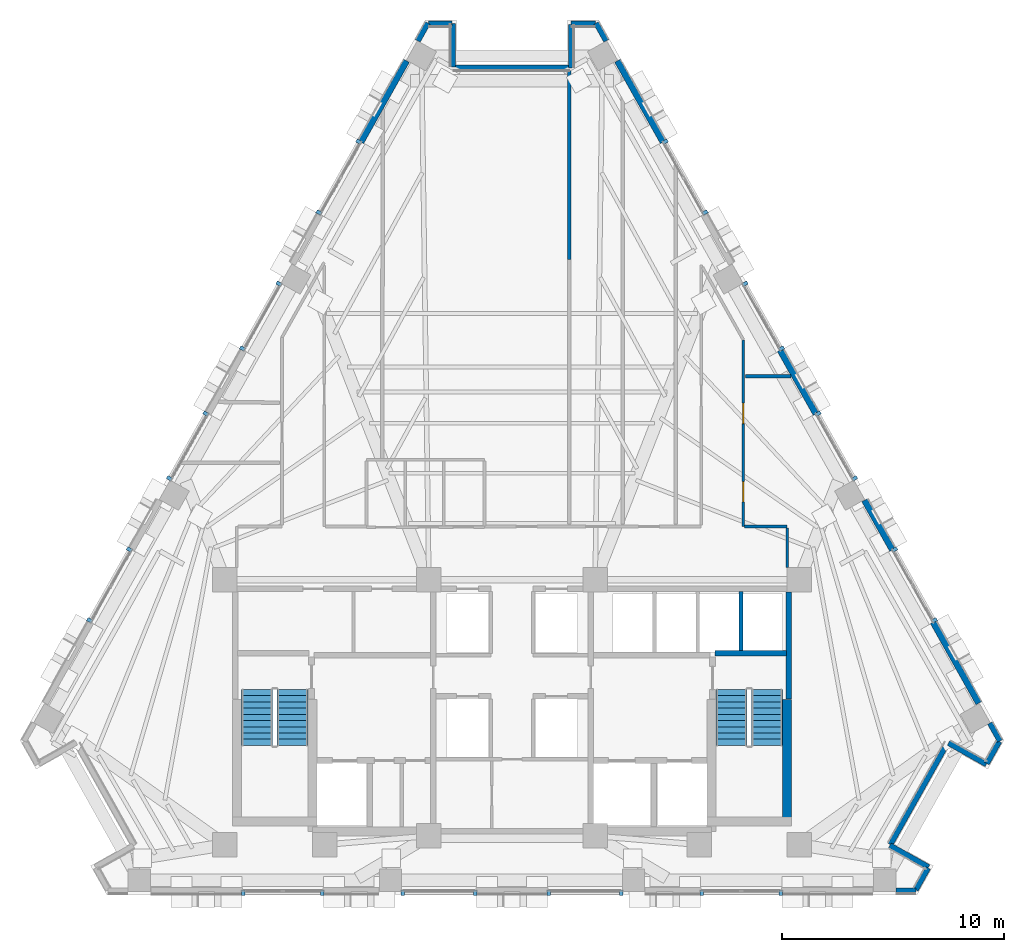
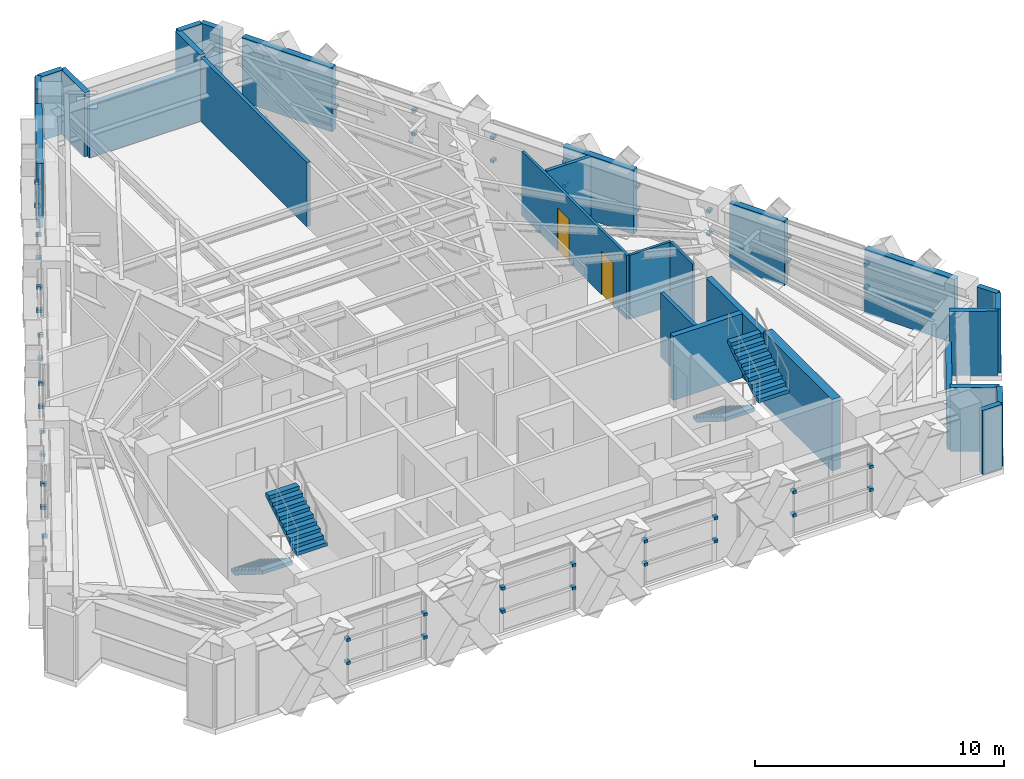
# One storey, part 9 of 13: 48 discrete accessories, 28 walls, 4 stair flights, 2 doors, 2 openings, 2 elements without a shape of their own.
"""IFC4 building model written with IfcOpenShell, lengths in metres."""

from ifc_helpers import new_model, si_unit, direction, frame, frame_2d, origin, origin_2d, place, context, subcontext, project, spatial, polyline, rectangle, outline, extrude, material, layer, layer_set, type_object, element, fill, aggregate, save


model = new_model("IFC4")

# Units and contexts
model_context = context("Model", 3, precision=1e-05, world=origin(), true_north=direction((0.0, 1.0)))
body_context = subcontext(model_context, "Body", "Model", "MODEL_VIEW")
ifc_project = project(units=[si_unit("LENGTHUNIT", "METRE"), si_unit("AREAUNIT", "SQUARE_METRE"), si_unit("VOLUMEUNIT", "CUBIC_METRE"), si_unit("PLANEANGLEUNIT", "RADIAN"), si_unit("MASSUNIT", "GRAM", prefix="KILO")], contexts=[model_context])

# Site, building, storey
site_placement = place(None, origin())
site = spatial("IfcSite", under=ifc_project, at=site_placement, CompositionType="ELEMENT")
building_placement = place(site_placement, origin())
building = spatial("IfcBuilding", under=site, at=building_placement, Name="Quenlor Broadcast Tower", CompositionType="ELEMENT")
storey_placement = place(building_placement, frame((0.0, 0.0, 175.5)))
storey = spatial("IfcBuildingStorey", under=building, at=storey_placement, Name="L48", CompositionType="ELEMENT", Elevation=175.5)

# Walls
ifc_material_1 = material(Name="Concrete C50/60", Category="concrete")
ifc_layer_1 = layer(ifc_material_1, 0.39990234375)
ifc_layer_set_1 = layer_set([ifc_layer_1], Name="Core Concrete C50/60 Shear Wall 400")
wall_type_1 = type_object("IfcWallType", Name="Core Concrete C50/60 Shear Wall 400", PredefinedType="SHEAR", material=ifc_layer_set_1)
wall_1_placement = place(storey_placement, frame((12.39990234375, -15.699951171875, 0.0), z_axis=(0.0, 0.0, 1.0), x_axis=(0.0, 1.0, 0.0)))
element("IfcWall", 1, at=wall_1_placement, inside=storey, type_object=wall_type_1, Name="L48 Core Shear Wall WF-E", PredefinedType="SHEAR", context=body_context, shape_type="SweptSolid", body=[
    extrude(rectangle(XDim=5.5, YDim=0.39990234375, at=frame_2d((2.75, 0.0))), origin(), (0.0, 0.0, 1.0), 3.5),
])
ifc_material_2 = material(Name="Concrete C40/50", Category="concrete")
ifc_layer_2 = layer(ifc_material_2, 0.25)
ifc_layer_set_2 = layer_set([ifc_layer_2], Name="Fire Rated Concrete C40/50 Core Wall 250")
wall_type_2 = type_object("IfcWallType", Name="Fire Rated Concrete C40/50 Core Wall 250", PredefinedType="PARTITIONING", material=ifc_layer_set_2)
wall_2_placement = place(storey_placement, frame((9.159912109375, -8.1201171875, 0.0), z_axis=(0.0, 0.0, 1.0), x_axis=(1.0, 0.0, 0.0)))
element("IfcWall", 2, at=wall_2_placement, inside=storey, type_object=wall_type_2, Name="L48 Interior Wall CW-ST2-N", PredefinedType="PARTITIONING", context=body_context, shape_type="SweptSolid", body=[
    extrude(rectangle(XDim=3.219970703125, YDim=0.25, at=frame_2d((1.60986328125, 0.0))), origin(), (0.0, 0.0, 1.0), 3.139892578125),
])
wall_3_placement = place(storey_placement, frame((12.47998046875, -10.179931640625, 0.0), z_axis=(0.0, 0.0, 1.0), x_axis=(0.0, 1.0, 0.0)))
element("IfcWall", 3, at=wall_3_placement, inside=storey, type_object=wall_type_2, Name="L48 Interior Wall CW-ST2-E2", PredefinedType="PARTITIONING", context=body_context, shape_type="SweptSolid", body=[
    extrude(rectangle(XDim=4.827880859375, YDim=0.25, at=frame_2d((2.4140625, 0.0))), origin(), (0.0, 0.0, 1.0), 3.139892578125),
])
ifc_material_3 = material(Name="Gypsum Fireboard Partition", Category="other")
ifc_layer_3 = layer(ifc_material_3, 0.159912109375)
ifc_layer_set_3 = layer_set([ifc_layer_3], Name="Fire Rated Shaft and Corridor Partition 160")
wall_type_3 = type_object("IfcWallType", Name="Fire Rated Shaft and Corridor Partition 160", PredefinedType="PARTITIONING", material=ifc_layer_set_3)
wall_4_placement = place(storey_placement, frame((10.324951171875, -7.992919921875, 0.0), z_axis=(0.0, 0.0, 1.0), x_axis=(0.0, 1.0, 0.0)))
element("IfcWall", 4, at=wall_4_placement, inside=storey, type_object=wall_type_3, Name="L48 Interior Wall CW-PLH-D3", PredefinedType="PARTITIONING", context=body_context, shape_type="SweptSolid", body=[
    extrude(rectangle(XDim=2.65283203125, YDim=0.159912109375, at=frame_2d((1.326416015625, 0.0))), origin(), (0.0, 0.0, 1.0), 3.139892578125),
])
wall_5_placement = place(storey_placement, frame((2.580078125, 18.157958984375, 0.0), z_axis=(0.0, 0.0, 1.0), x_axis=(0.0, -1.0, 0.0)))
element("IfcWall", 5, at=wall_5_placement, inside=storey, type_object=wall_type_3, Name="L48 Interior Wall PW-DV-01", PredefinedType="PARTITIONING", context=body_context, shape_type="SweptSolid", body=[
    extrude(rectangle(XDim=8.52197265625, YDim=0.159912109375, at=frame_2d((4.260986328125, 0.0))), origin(), (0.0, 0.0, 1.0), 3.139892578125),
])
wall_6_placement = place(storey_placement, frame((12.5849609375, 4.3798828125, 0.0), z_axis=(0.0, 0.0, 1.0), x_axis=(-1.0, 0.0, 0.0)))
element("IfcWall", 6, at=wall_6_placement, inside=storey, type_object=wall_type_3, Name="L48 Interior Wall PW-DV-07", PredefinedType="PARTITIONING", context=body_context, shape_type="SweptSolid", body=[
    extrude(rectangle(XDim=2.044921875, YDim=0.159912109375, at=frame_2d((1.0224609375, 0.0))), origin(), (0.0, 0.0, 1.0), 3.139892578125),
])

# Wall, openings, doors
ifc_material_4 = material(Name="Gypsum Plasterboard Partition", Category="other")
ifc_layer_4 = layer(ifc_material_4, 0.1201171875)
ifc_layer_set_4 = layer_set([ifc_layer_4], Name="Standard Office Partition 120")
wall_type_4 = type_object("IfcWallType", Name="Standard Office Partition 120", PredefinedType="PARTITIONING", material=ifc_layer_set_4)
wall_7_placement = place(storey_placement, frame((10.429931640625, 6.020263671875, 0.0), z_axis=(0.0, 0.0, 1.0), x_axis=(0.0, -1.0, 0.0)))
wall_7 = element("IfcWall", 7, at=wall_7_placement, inside=storey, type_object=wall_type_4, Name="L48 Interior Wall PW-CR-09", PredefinedType="PARTITIONING", context=body_context, shape_type="SweptSolid", body=[
    extrude(rectangle(XDim=8.420166015625, YDim=0.1201171875, at=frame_2d((4.2099609375, 0.0))), origin(), (0.0, 0.0, 1.0), 3.139892578125),
])
opening_1_placement = place(wall_7_placement, frame((2.861083984375, 0.0, 0.0)))
opening_1 = element("IfcOpeningElement", 8, at=opening_1_placement, cuts=wall_7, Name="Opening ID-1", PredefinedType="OPENING", context=body_context, shape_type="SweptSolid", body=[
    extrude(rectangle(XDim=0.919921875, YDim=2.1201171875, at=frame_2d((0.4599609375, 1.06005859375))), frame((0.0, 0.070068359375, 0.0), z_axis=(0.0, -1.0, 0.0), x_axis=(1.0, 0.0, 0.0)), (0.0, 0.0, 1.0), 0.14013671875),
])
opening_2_placement = place(wall_7_placement, frame((6.39208984375, 0.0, 0.0)))
opening_2 = element("IfcOpeningElement", 9, at=opening_2_placement, cuts=wall_7, Name="Opening ID-1", PredefinedType="OPENING", context=body_context, shape_type="SweptSolid", body=[
    extrude(rectangle(XDim=0.919921875, YDim=2.1201171875, at=frame_2d((0.4599609375, 1.06005859375))), frame((0.0, 0.070068359375, 0.0), z_axis=(0.0, -1.0, 0.0), x_axis=(1.0, 0.0, 0.0)), (0.0, 0.0, 1.0), 0.14013671875),
])
ifc_material_5 = material(Name="Solid Core Timber Oak", Category="wood")
door_type = type_object("IfcDoorType", Name="Single Leaf Timber Office Door 920x2120", OperationType="NOTDEFINED", PredefinedType="DOOR", material=ifc_material_5)
door_1_placement = place(opening_1_placement, origin())
door_1 = element("IfcDoor", 10, at=door_1_placement, inside=storey, type_object=door_type, Name="L48 Door DR-RM06", OperationType="SINGLE_SWING_RIGHT", OverallHeight=2.1201171875, OverallWidth=0.919921875, PredefinedType="DOOR", context=body_context, shape_type="SweptSolid", body=[
    extrude(rectangle(XDim=0.919921875, YDim=2.1201171875, at=frame_2d((0.4599609375, 1.06005859375))), frame((0.0, 0.02490234375, 0.0), z_axis=(0.0, -1.0, 0.0), x_axis=(1.0, 0.0, 0.0)), (0.0, 0.0, 1.0), 0.050048828125),
])
fill(opening_1, door_1)
door_2_placement = place(opening_2_placement, origin())
door_2 = element("IfcDoor", 11, at=door_2_placement, inside=storey, type_object=door_type, Name="L48 Door DR-RM08", OperationType="SINGLE_SWING_RIGHT", OverallHeight=2.1201171875, OverallWidth=0.919921875, PredefinedType="DOOR", context=body_context, shape_type="SweptSolid", body=[
    extrude(rectangle(XDim=0.919921875, YDim=2.1201171875, at=frame_2d((0.4599609375, 1.06005859375))), frame((0.0, 0.02490234375, 0.0), z_axis=(0.0, -1.0, 0.0), x_axis=(1.0, 0.0, 0.0)), (0.0, 0.0, 1.0), 0.050048828125),
])
fill(opening_2, door_2)

# Walls
wall_8_placement = place(storey_placement, frame((10.491943359375, -2.39990234375, 0.0), z_axis=(0.0, 0.0, 1.0), x_axis=(1.0, 0.0, 0.0)))
element("IfcWall", 12, at=wall_8_placement, inside=storey, type_object=wall_type_4, Name="L48 Interior Wall PW-CR-10", PredefinedType="PARTITIONING", context=body_context, shape_type="SweptSolid", body=[
    extrude(rectangle(XDim=1.91796875, YDim=0.1201171875, at=frame_2d((0.958984375, 0.0))), origin(), (0.0, 0.0, 1.0), 3.139892578125),
])
wall_9_placement = place(storey_placement, frame((12.409912109375, -2.4619140625, 0.0), z_axis=(0.0, 0.0, 1.0), x_axis=(0.0, -1.0, 0.0)))
element("IfcWall", 13, at=wall_9_placement, inside=storey, type_object=wall_type_4, Name="L48 Interior Wall PW-CR-11", PredefinedType="PARTITIONING", context=body_context, shape_type="SweptSolid", body=[
    extrude(rectangle(XDim=1.7861328125, YDim=0.1201171875, at=frame_2d((0.89306640625, 0.0))), origin(), (0.0, 0.0, 1.0), 3.139892578125),
])
ifc_material_6 = material(Name="Precast concrete C40/50", Category="concrete")
ifc_layer_5 = layer(ifc_material_6, 0.239990234375)
ifc_layer_set_5 = layer_set([ifc_layer_5], Name="Terrace Threshold Precast Concrete C40/50 Wall 240")
wall_type_5 = type_object("IfcWallType", Name="Terrace Threshold Precast Concrete C40/50 Wall 240", PredefinedType="STANDARD", material=ifc_layer_set_5)
wall_10_placement = place(storey_placement, frame((18.2099609375, -18.824951171875, 0.0), z_axis=(0.0, 0.0, 1.0), x_axis=(-1.0, 0.0, 0.0)))
element("IfcWall", 14, at=wall_10_placement, inside=storey, type_object=wall_type_5, Name="L48 Exterior Wall L48-SHD-SS0", PredefinedType="STANDARD", context=body_context, shape_type="SweptSolid", body=[
    extrude(rectangle(XDim=0.896484375, YDim=0.239990234375, at=frame_2d((0.4482421875, 0.0))), origin(), (0.0, 0.0, 1.0), 3.139892578125),
])
wall_11_placement = place(storey_placement, frame((3.7919921875, 20.302001953125, 0.0), z_axis=(0.0, 0.0, 1.0), x_axis=(0.490048346303, -0.871695255399, 0.0)))
element("IfcWall", 15, at=wall_11_placement, inside=storey, type_object=wall_type_5, Name="L48 Exterior Wall L48-SHD-NES0", PredefinedType="STANDARD", context=body_context, shape_type="SweptSolid", body=[
    extrude(rectangle(XDim=0.925537109375, YDim=0.239990234375, at=frame_2d((0.462890625, 0.0))), origin(), (0.0, 0.0, 1.0), 3.139892578125),
])
wall_12_placement = place(storey_placement, frame((21.54931640625, -11.2666015625, 0.0), z_axis=(0.0, 0.0, 1.0), x_axis=(0.490248718924, -0.871582579905, 0.0)))
element("IfcWall", 16, at=wall_12_placement, inside=storey, type_object=wall_type_5, Name="L48 Exterior Wall L48-SHD-NES1", PredefinedType="STANDARD", context=body_context, shape_type="SweptSolid", body=[
    extrude(rectangle(XDim=0.92578125, YDim=0.239990234375, at=frame_2d((0.462890625, 0.0))), origin(), (0.0, 0.0, 1.0), 3.139892578125),
])
wall_13_placement = place(storey_placement, frame((-4.24560546875, 19.4951171875, 0.0), z_axis=(0.0, 0.0, 1.0), x_axis=(0.490048346303, 0.871695255399, 0.0)))
element("IfcWall", 17, at=wall_13_placement, inside=storey, type_object=wall_type_5, Name="L48 Exterior Wall L48-SHD-NWS1", PredefinedType="STANDARD", context=body_context, shape_type="SweptSolid", body=[
    extrude(rectangle(XDim=0.925537109375, YDim=0.239990234375, at=frame_2d((0.462890625, 0.0))), origin(), (0.0, 0.0, 1.0), 3.139892578125),
])
wall_14_placement = place(storey_placement, frame((18.783935546875, -17.760009765625, 0.0), z_axis=(0.0, 0.0, 1.0), x_axis=(-0.871536415941, 0.49033078191, 0.0)))
element("IfcWall", 18, at=wall_14_placement, inside=storey, type_object=wall_type_5, Name="L48 Exterior Wall L48-CNR-01", PredefinedType="STANDARD", context=body_context, shape_type="SweptSolid", body=[
    extrude(rectangle(XDim=2.0, YDim=0.239990234375, at=frame_2d((1.0, 0.0))), origin(), (0.0, 0.0, 1.0), 3.139892578125),
])
wall_15_placement = place(storey_placement, frame((17.060302734375, -16.744384765625, 0.0), z_axis=(0.0, 0.0, 1.0), x_axis=(0.490276606961, 0.871566892824, 0.0)))
element("IfcWall", 19, at=wall_15_placement, inside=storey, type_object=wall_type_5, Name="L48 Exterior Wall L48-CNR-02", PredefinedType="STANDARD", context=body_context, shape_type="SweptSolid", body=[
    extrude(rectangle(XDim=5.280029296875, YDim=0.239990234375, at=frame_2d((2.64013671875, 0.0))), origin(), (0.0, 0.0, 1.0), 1.639892578125),
])
wall_16_placement = place(storey_placement, frame((19.683837890625, -12.162109375, 0.0), z_axis=(0.0, 0.0, 1.0), x_axis=(0.871512328312, -0.490373593906, 0.0)))
element("IfcWall", 20, at=wall_16_placement, inside=storey, type_object=wall_type_5, Name="L48 Exterior Wall L48-CNR-03", PredefinedType="STANDARD", context=body_context, shape_type="SweptSolid", body=[
    extrude(rectangle(XDim=1.960205078125, YDim=0.239990234375, at=frame_2d((0.97998046875, 0.0))), origin(), (0.0, 0.0, 1.0), 3.139892578125),
])
wall_17_placement = place(storey_placement, frame((21.411865234375, -13.08837890625, 0.0), z_axis=(0.0, 0.0, 1.0), x_axis=(0.4900989379, 0.871666811958, 0.0)))
element("IfcWall", 21, at=wall_17_placement, inside=storey, type_object=wall_type_5, Name="L48 Exterior Wall L48-CNR-04", PredefinedType="STANDARD", context=body_context, shape_type="SweptSolid", body=[
    extrude(rectangle(XDim=1.142822265625, YDim=0.239990234375, at=frame_2d((0.5712890625, 0.0))), origin(), (0.0, 0.0, 1.0), 3.139892578125),
])
wall_18_placement = place(storey_placement, frame((3.761474609375, 20.280029296875, 0.0), z_axis=(0.0, 0.0, 1.0), x_axis=(-1.0, 0.0, 0.0)))
element("IfcWall", 22, at=wall_18_placement, inside=storey, type_object=wall_type_5, Name="L48 Exterior Wall L48-CNR-06", PredefinedType="STANDARD", context=body_context, shape_type="SweptSolid", body=[
    extrude(rectangle(XDim=1.1015625, YDim=0.239990234375, at=frame_2d((0.55078125, 0.0))), origin(), (0.0, 0.0, 1.0), 3.139892578125),
])
wall_19_placement = place(storey_placement, frame((2.659912109375, 20.239990234375, 0.0), z_axis=(0.0, 0.0, 1.0), x_axis=(0.0, -1.0, 0.0)))
element("IfcWall", 23, at=wall_19_placement, inside=storey, type_object=wall_type_5, Name="L48 Exterior Wall L48-CNR-07", PredefinedType="STANDARD", context=body_context, shape_type="SweptSolid", body=[
    extrude(rectangle(XDim=1.9599609375, YDim=0.239990234375, at=frame_2d((0.97998046875, 0.0))), origin(), (0.0, 0.0, 1.0), 3.139892578125),
])
wall_20_placement = place(storey_placement, frame((2.6201171875, 18.280029296875, 0.0), z_axis=(0.0, 0.0, 1.0), x_axis=(-1.0, 0.0, 0.0)))
element("IfcWall", 24, at=wall_20_placement, inside=storey, type_object=wall_type_5, Name="L48 Exterior Wall L48-CNR-08", PredefinedType="STANDARD", context=body_context, shape_type="SweptSolid", body=[
    extrude(rectangle(XDim=5.280029296875, YDim=0.239990234375, at=frame_2d((2.64013671875, 0.0))), origin(), (0.0, 0.0, 1.0), 2.60693359375),
])
wall_21_placement = place(storey_placement, frame((-2.659912109375, 18.320068359375, 0.0), z_axis=(0.0, 0.0, 1.0), x_axis=(0.0, 1.0, 0.0)))
element("IfcWall", 25, at=wall_21_placement, inside=storey, type_object=wall_type_5, Name="L48 Exterior Wall L48-CNR-09", PredefinedType="STANDARD", context=body_context, shape_type="SweptSolid", body=[
    extrude(rectangle(XDim=1.9599609375, YDim=0.239990234375, at=frame_2d((0.97998046875, 0.0))), origin(), (0.0, 0.0, 1.0), 3.139892578125),
])
wall_22_placement = place(storey_placement, frame((-2.699951171875, 20.280029296875, 0.0), z_axis=(0.0, 0.0, 1.0), x_axis=(-1.0, 0.0, 0.0)))
element("IfcWall", 26, at=wall_22_placement, inside=storey, type_object=wall_type_5, Name="L48 Exterior Wall L48-CNR-10", PredefinedType="STANDARD", context=body_context, shape_type="SweptSolid", body=[
    extrude(rectangle(XDim=1.0615234375, YDim=0.239990234375, at=frame_2d((0.53076171875, 0.0))), origin(), (0.0, 0.0, 1.0), 3.139892578125),
])
wall_23_placement = place(storey_placement, frame((18.205810546875, -18.78759765625, 0.0), z_axis=(0.0, 0.0, 1.0), x_axis=(0.490403700594, 0.871495387506, 0.0)))
element("IfcWall", 27, at=wall_23_placement, inside=storey, type_object=wall_type_5, Name="L48 Exterior Wall L48-CNR-18", PredefinedType="STANDARD", context=body_context, shape_type="SweptSolid", body=[
    extrude(rectangle(XDim=1.13916015625, YDim=0.239990234375, at=frame_2d((0.569580078125, 0.0))), origin(), (0.0, 0.0, 1.0), 3.139892578125),
])
ifc_material_7 = material(Name="Precast concrete C40/50", Category="concrete")
ifc_layer_6 = layer(ifc_material_7, 0.280029296875)
ifc_layer_set_6 = layer_set([ifc_layer_6], Name="Terracotta Precast Concrete C40/50 Facade Wall 280")
wall_type_6 = type_object("IfcWallType", Name="Terracotta Precast Concrete C40/50 Facade Wall 280", PredefinedType="STANDARD", material=ifc_layer_set_6)
wall_24_placement = place(storey_placement, frame((4.750732421875, 18.597412109375, 0.0), z_axis=(0.0, 0.0, 1.0), x_axis=(0.490250201787, -0.871581745821, 0.0)))
element("IfcWall", 28, at=wall_24_placement, inside=storey, type_object=wall_type_6, Name="L48 Exterior Wall L48-NEA-SP1", PredefinedType="STANDARD", context=body_context, shape_type="SweptSolid", body=[
    extrude(rectangle(XDim=4.20068359375, YDim=0.280029296875, at=frame_2d((2.100341796875, 0.0))), origin(), (0.0, 0.0, 1.0), 3.139892578125),
])
wall_25_placement = place(storey_placement, frame((15.8955078125, -1.21533203125, 0.0), z_axis=(0.0, 0.0, 1.0), x_axis=(0.490229640206, -0.871593311048, 0.0)))
element("IfcWall", 29, at=wall_25_placement, inside=storey, type_object=wall_type_6, Name="L48 Exterior Wall L48-NEC-SP1", PredefinedType="STANDARD", context=body_context, shape_type="SweptSolid", body=[
    extrude(rectangle(XDim=2.56787109375, YDim=0.280029296875, at=frame_2d((1.283935546875, 0.0))), origin(), (0.0, 0.0, 1.0), 3.139892578125),
])
wall_26_placement = place(storey_placement, frame((18.985107421875, -6.7080078125, 0.0), z_axis=(0.0, 0.0, 1.0), x_axis=(0.490230882965, -0.871592612054, 0.0)))
element("IfcWall", 30, at=wall_26_placement, inside=storey, type_object=wall_type_6, Name="L48 Exterior Wall L48-NEC-SP2", PredefinedType="STANDARD", context=body_context, shape_type="SweptSolid", body=[
    extrude(rectangle(XDim=4.2001953125, YDim=0.280029296875, at=frame_2d((2.10009765625, 0.0))), origin(), (0.0, 0.0, 1.0), 3.139892578125),
])
wall_27_placement = place(storey_placement, frame((12.0888671875, 5.5517578125, 0.0), z_axis=(0.0, 0.0, 1.0), x_axis=(0.490285834707, -0.871561701938, 0.0)))
element("IfcWall", 31, at=wall_27_placement, inside=storey, type_object=wall_type_6, Name="L48 Exterior Wall L48-NE-SP1", PredefinedType="STANDARD", context=body_context, shape_type="SweptSolid", body=[
    extrude(rectangle(XDim=3.299072265625, YDim=0.280029296875, at=frame_2d((1.6494140625, 0.0))), origin(), (0.0, 0.0, 1.0), 3.139892578125),
])
wall_28_placement = place(storey_placement, frame((-6.81005859375, 14.936279296875, 0.0), z_axis=(0.0, 0.0, 1.0), x_axis=(0.490250201787, 0.871581745821, 0.0)))
element("IfcWall", 32, at=wall_28_placement, inside=storey, type_object=wall_type_6, Name="L48 Exterior Wall L48-NWC-SP2", PredefinedType="STANDARD", context=body_context, shape_type="SweptSolid", body=[
    extrude(rectangle(XDim=4.20068359375, YDim=0.280029296875, at=frame_2d((2.100341796875, 0.0))), origin(), (0.0, 0.0, 1.0), 3.139892578125),
])

# Stair, stair flights
ifc_material_8 = material(Name="Precast concrete C40/50", Category="concrete")
stair_type = type_object("IfcStairType", Name="Precast Concrete C40/50 Dogleg Stair H350", PredefinedType="HALF_TURN_STAIR", material=ifc_material_8)
stair_1_placement = place(storey_placement, origin())
stair_1 = element("IfcStair", 33, at=stair_1_placement, inside=storey, type_object=stair_type, Name="L48 West Core Fire-Isolated Exit Stair ST-1", PredefinedType="HALF_TURN_STAIR")
ifc_material_9 = material(Name="Precast concrete C40/50", Category="concrete")
ifc_layer_7 = layer(ifc_material_9, 0.159912109375)
ifc_layer_set_7 = layer_set([ifc_layer_7], Name="Precast Concrete C40/50 Stair Flight H350")
stair_flight_type = type_object("IfcStairFlightType", Name="Precast Concrete C40/50 Stair Flight H350", PredefinedType="STRAIGHT", material=ifc_layer_set_7)
stair_flight_1_placement = place(storey_placement, frame((-11.5, -9.75, 0.0), z_axis=(0.0, 0.0, 1.0), x_axis=(0.0, -1.0, 0.0)))
stair_flight_1 = element("IfcStairFlight", 34, at=stair_flight_1_placement, type_object=stair_flight_type, Name="ST-1 flight 1", NumberOfRisers=10, NumberOfTreads=9, PredefinedType="STRAIGHT", RiserHeight=0.175, TreadLength=0.28, context=body_context, shape_type="SweptSolid", body=[
    extrude(outline(polyline([(0.0, 0.0), (0.0, 0.175048828125), (0.280029296875, 0.175048828125), (0.280029296875, 0.35009765625), (0.56005859375, 0.35009765625), (0.56005859375, 0.52490234375), (0.840087890625, 0.52490234375), (0.840087890625, 0.699951171875), (1.1201171875, 0.699951171875), (1.1201171875, 0.875), (1.39990234375, 0.875), (1.39990234375, 1.050048828125), (1.679931640625, 1.050048828125), (1.679931640625, 1.22509765625), (1.9599609375, 1.22509765625), (1.9599609375, 1.39990234375), (2.239990234375, 1.39990234375), (2.239990234375, 1.574951171875), (2.52001953125, 1.574951171875), (2.52001953125, 1.75), (2.52001953125, 1.398193359375), (0.28271484375, 0.0), (0.0, 0.0)])), frame((0.0, 0.699951171875, 0.0), z_axis=(0.0, -1.0, 0.0), x_axis=(1.0, 0.0, 0.0)), (0.0, 0.0, 1.0), 1.39990234375),
])
stair_flight_2_placement = place(storey_placement, frame((-9.89990234375, -12.27001953125, 1.75), z_axis=(0.0, 0.0, 1.0), x_axis=(0.0, 1.0, 0.0)))
stair_flight_2 = element("IfcStairFlight", 35, at=stair_flight_2_placement, type_object=stair_flight_type, Name="ST-1 flight 2", NumberOfRisers=10, NumberOfTreads=9, PredefinedType="STRAIGHT", RiserHeight=0.175, TreadLength=0.28, context=body_context, shape_type="SweptSolid", body=[
    extrude(outline(polyline([(0.0, 0.0), (0.0, 0.175048828125), (0.280029296875, 0.175048828125), (0.280029296875, 0.35009765625), (0.56005859375, 0.35009765625), (0.56005859375, 0.52490234375), (0.840087890625, 0.52490234375), (0.840087890625, 0.699951171875), (1.1201171875, 0.699951171875), (1.1201171875, 0.875), (1.39990234375, 0.875), (1.39990234375, 1.050048828125), (1.679931640625, 1.050048828125), (1.679931640625, 1.22509765625), (1.9599609375, 1.22509765625), (1.9599609375, 1.39990234375), (2.239990234375, 1.39990234375), (2.239990234375, 1.574951171875), (2.52001953125, 1.574951171875), (2.52001953125, 1.75), (2.52001953125, 1.398193359375), (0.28271484375, 0.0), (0.0, 0.0)])), frame((0.0, 0.699951171875, 0.0), z_axis=(0.0, -1.0, 0.0), x_axis=(1.0, 0.0, 0.0)), (0.0, 0.0, 1.0), 1.39990234375),
])
aggregate(stair_1, [stair_flight_1, stair_flight_2])

stair_2_placement = place(storey_placement, origin())
stair_2 = element("IfcStair", 36, at=stair_2_placement, inside=storey, type_object=stair_type, Name="L48 East Core Fire-Isolated Exit Stair ST-2", PredefinedType="HALF_TURN_STAIR")
stair_flight_3_placement = place(storey_placement, frame((9.89990234375, -9.75, 0.0), z_axis=(0.0, 0.0, 1.0), x_axis=(0.0, -1.0, 0.0)))
stair_flight_3 = element("IfcStairFlight", 37, at=stair_flight_3_placement, type_object=stair_flight_type, Name="ST-2 flight 1", NumberOfRisers=10, NumberOfTreads=9, PredefinedType="STRAIGHT", RiserHeight=0.175, TreadLength=0.28, context=body_context, shape_type="SweptSolid", body=[
    extrude(outline(polyline([(0.0, 0.0), (0.0, 0.175048828125), (0.280029296875, 0.175048828125), (0.280029296875, 0.35009765625), (0.56005859375, 0.35009765625), (0.56005859375, 0.52490234375), (0.840087890625, 0.52490234375), (0.840087890625, 0.699951171875), (1.1201171875, 0.699951171875), (1.1201171875, 0.875), (1.39990234375, 0.875), (1.39990234375, 1.050048828125), (1.679931640625, 1.050048828125), (1.679931640625, 1.22509765625), (1.9599609375, 1.22509765625), (1.9599609375, 1.39990234375), (2.239990234375, 1.39990234375), (2.239990234375, 1.574951171875), (2.52001953125, 1.574951171875), (2.52001953125, 1.75), (2.52001953125, 1.398193359375), (0.28271484375, 0.0), (0.0, 0.0)])), frame((0.0, 0.699951171875, 0.0), z_axis=(0.0, -1.0, 0.0), x_axis=(1.0, 0.0, 0.0)), (0.0, 0.0, 1.0), 1.39990234375),
])
stair_flight_4_placement = place(storey_placement, frame((11.5, -12.27001953125, 1.75), z_axis=(0.0, 0.0, 1.0), x_axis=(0.0, 1.0, 0.0)))
stair_flight_4 = element("IfcStairFlight", 38, at=stair_flight_4_placement, type_object=stair_flight_type, Name="ST-2 flight 2", NumberOfRisers=10, NumberOfTreads=9, PredefinedType="STRAIGHT", RiserHeight=0.175, TreadLength=0.28, context=body_context, shape_type="SweptSolid", body=[
    extrude(outline(polyline([(0.0, 0.0), (0.0, 0.175048828125), (0.280029296875, 0.175048828125), (0.280029296875, 0.35009765625), (0.56005859375, 0.35009765625), (0.56005859375, 0.52490234375), (0.840087890625, 0.52490234375), (0.840087890625, 0.699951171875), (1.1201171875, 0.699951171875), (1.1201171875, 0.875), (1.39990234375, 0.875), (1.39990234375, 1.050048828125), (1.679931640625, 1.050048828125), (1.679931640625, 1.22509765625), (1.9599609375, 1.22509765625), (1.9599609375, 1.39990234375), (2.239990234375, 1.39990234375), (2.239990234375, 1.574951171875), (2.52001953125, 1.574951171875), (2.52001953125, 1.75), (2.52001953125, 1.398193359375), (0.28271484375, 0.0), (0.0, 0.0)])), frame((0.0, 0.699951171875, 0.0), z_axis=(0.0, -1.0, 0.0), x_axis=(1.0, 0.0, 0.0)), (0.0, 0.0, 1.0), 1.39990234375),
])
aggregate(stair_2, [stair_flight_3, stair_flight_4])

# Discrete accessories
ifc_material_10 = material(Name="Aluminium 6063-T6", Category="aluminium")
discrete_accessory_type = type_object("IfcDiscreteAccessoryType", Name="Stainless Mullion Baguette Support Bracket", PredefinedType="BRACKET", material=ifc_material_10)
for number, where, z_axis, x_axis, name in (
    (39, (12.114013671875, -18.919921875, 1.060546875), (0.0, 0.0, 1.0), (-1.0, 0.0, 0.0), "L48 Baguette Mullion Bracket 1.1"),
    (40, (8.550048828125, -18.919921875, 1.060546875), (0.0, 0.0, 1.0), (-1.0, 0.0, 0.0), "L48 Baguette Mullion Bracket 1.2"),
    (41, (12.114013671875, -18.919921875, 2.19091796875), (0.0, 0.0, 1.0), (-1.0, 0.0, 0.0), "L48 Baguette Mullion Bracket 2.1"),
    (42, (8.550048828125, -18.919921875, 2.19091796875), (0.0, 0.0, 1.0), (-1.0, 0.0, 0.0), "L48 Baguette Mullion Bracket 2.2"),
    (43, (-8.550048828125, -18.919921875, 1.060546875), (0.0, 0.0, 1.0), (-1.0, 0.0, 0.0), "L48 Baguette Mullion Bracket 1.1"),
    (44, (-12.114013671875, -18.919921875, 1.060546875), (0.0, 0.0, 1.0), (-1.0, 0.0, 0.0), "L48 Baguette Mullion Bracket 1.2"),
    (45, (-8.550048828125, -18.919921875, 2.19091796875), (0.0, 0.0, 1.0), (-1.0, 0.0, 0.0), "L48 Baguette Mullion Bracket 2.1"),
    (46, (-12.114013671875, -18.919921875, 2.19091796875), (0.0, 0.0, 1.0), (-1.0, 0.0, 0.0), "L48 Baguette Mullion Bracket 2.2"),
    (47, (4.926025390625, -18.919921875, 1.060546875), (0.0, 0.0, 1.0), (-1.0, 0.0, 0.0), "L48 Baguette Mullion Bracket 1.1"),
    (48, (1.662109375, -18.919921875, 1.060546875), (0.0, 0.0, 1.0), (-1.0, 0.0, 0.0), "L48 Baguette Mullion Bracket 1.2"),
    (49, (4.926025390625, -18.919921875, 2.19091796875), (0.0, 0.0, 1.0), (-1.0, 0.0, 0.0), "L48 Baguette Mullion Bracket 2.1"),
    (50, (1.662109375, -18.919921875, 2.19091796875), (0.0, 0.0, 1.0), (-1.0, 0.0, 0.0), "L48 Baguette Mullion Bracket 2.2"),
    (51, (-1.662109375, -18.919921875, 1.060546875), (0.0, 0.0, 1.0), (-1.0, 0.0, 0.0), "L48 Baguette Mullion Bracket 1.1"),
    (52, (-4.926025390625, -18.919921875, 1.060546875), (0.0, 0.0, 1.0), (-1.0, 0.0, 0.0), "L48 Baguette Mullion Bracket 1.2"),
    (53, (-1.662109375, -18.919921875, 2.19091796875), (0.0, 0.0, 1.0), (-1.0, 0.0, 0.0), "L48 Baguette Mullion Bracket 2.1"),
    (54, (-4.926025390625, -18.919921875, 2.19091796875), (0.0, 0.0, 1.0), (-1.0, 0.0, 0.0), "L48 Baguette Mullion Bracket 2.2"),
    (55, (6.909912109375, 14.952392578125, 1.060546875), (0.0, 0.0, 1.0), (0.490269552242, -0.871570861229, 0.0), "L48 Baguette Mullion Bracket 1.1"),
    (56, (8.706298828125, 11.7587890625, 1.060546875), (0.0, 0.0, 1.0), (0.490269552242, -0.871570861229, 0.0), "L48 Baguette Mullion Bracket 1.2"),
    (57, (6.909912109375, 14.952392578125, 2.19091796875), (0.0, 0.0, 1.0), (0.490269552242, -0.871570861229, 0.0), "L48 Baguette Mullion Bracket 2.1"),
    (58, (8.706298828125, 11.7587890625, 2.19091796875), (0.0, 0.0, 1.0), (0.490269552242, -0.871570861229, 0.0), "L48 Baguette Mullion Bracket 2.2"),
    (59, (17.25439453125, -3.437255859375, 1.060546875), (0.0, 0.0, 1.0), (0.490258903959, -0.871576850937, 0.0), "L48 Baguette Mullion Bracket 1.1"),
    (60, (19.050537109375, -6.630859375, 1.060546875), (0.0, 0.0, 1.0), (0.490258903959, -0.871576850937, 0.0), "L48 Baguette Mullion Bracket 1.2"),
    (61, (17.25439453125, -3.437255859375, 2.19091796875), (0.0, 0.0, 1.0), (0.490258903959, -0.871576850937, 0.0), "L48 Baguette Mullion Bracket 2.1"),
    (62, (19.050537109375, -6.630859375, 2.19091796875), (0.0, 0.0, 1.0), (0.490258903959, -0.871576850937, 0.0), "L48 Baguette Mullion Bracket 2.2"),
    (63, (10.511962890625, 8.549072265625, 1.060546875), (0.0, 0.0, 1.0), (0.490255861579, -0.871578562258, 0.0), "L48 Baguette Mullion Bracket 1.1"),
    (64, (12.154296875, 5.62890625, 1.060546875), (0.0, 0.0, 1.0), (0.490255861579, -0.871578562258, 0.0), "L48 Baguette Mullion Bracket 1.2"),
    (65, (10.511962890625, 8.549072265625, 2.19091796875), (0.0, 0.0, 1.0), (0.490255861579, -0.871578562258, 0.0), "L48 Baguette Mullion Bracket 2.1"),
    (66, (12.154296875, 5.62890625, 2.19091796875), (0.0, 0.0, 1.0), (0.490255861579, -0.871578562258, 0.0), "L48 Baguette Mullion Bracket 2.2"),
    (67, (13.80615234375, 2.692626953125, 1.060546875), (0.0, 0.0, 1.0), (0.490268031063, -0.87157171691, 0.0), "L48 Baguette Mullion Bracket 1.1"),
    (68, (15.44873046875, -0.2275390625, 1.060546875), (0.0, 0.0, 1.0), (0.490268031063, -0.87157171691, 0.0), "L48 Baguette Mullion Bracket 1.2"),
    (69, (13.80615234375, 2.692626953125, 2.19091796875), (0.0, 0.0, 1.0), (0.490268031063, -0.87157171691, 0.0), "L48 Baguette Mullion Bracket 2.1"),
    (70, (15.44873046875, -0.2275390625, 2.19091796875), (0.0, 0.0, 1.0), (0.490268031063, -0.87157171691, 0.0), "L48 Baguette Mullion Bracket 2.2"),
    (71, (-19.050537109375, -6.630859375, 1.060546875), (0.0, 0.0, 1.0), (0.490258903959, 0.871576850937, 0.0), "L48 Baguette Mullion Bracket 1.1"),
    (72, (-17.25439453125, -3.437255859375, 1.060546875), (0.0, 0.0, 1.0), (0.490258903959, 0.871576850937, 0.0), "L48 Baguette Mullion Bracket 1.2"),
    (73, (-19.050537109375, -6.630859375, 2.19091796875), (0.0, 0.0, 1.0), (0.490258903959, 0.871576850937, 0.0), "L48 Baguette Mullion Bracket 2.1"),
    (74, (-17.25439453125, -3.437255859375, 2.19091796875), (0.0, 0.0, 1.0), (0.490258903959, 0.871576850937, 0.0), "L48 Baguette Mullion Bracket 2.2"),
    (75, (-8.706298828125, 11.7587890625, 1.060546875), (0.0, 0.0, 1.0), (0.490269552242, 0.871570861229, 0.0), "L48 Baguette Mullion Bracket 1.1"),
    (76, (-6.909912109375, 14.952392578125, 1.060546875), (0.0, 0.0, 1.0), (0.490269552242, 0.871570861229, 0.0), "L48 Baguette Mullion Bracket 1.2"),
    (77, (-8.706298828125, 11.7587890625, 2.19091796875), (0.0, 0.0, 1.0), (0.490269552242, 0.871570861229, 0.0), "L48 Baguette Mullion Bracket 2.1"),
    (78, (-6.909912109375, 14.952392578125, 2.19091796875), (0.0, 0.0, 1.0), (0.490269552242, 0.871570861229, 0.0), "L48 Baguette Mullion Bracket 2.2"),
    (79, (-15.44873046875, -0.2275390625, 1.060546875), (0.0, 0.0, 1.0), (0.490268031063, 0.87157171691, 0.0), "L48 Baguette Mullion Bracket 1.1"),
    (80, (-13.80615234375, 2.692626953125, 1.060546875), (0.0, 0.0, 1.0), (0.490268031063, 0.87157171691, 0.0), "L48 Baguette Mullion Bracket 1.2"),
    (81, (-15.44873046875, -0.2275390625, 2.19091796875), (0.0, 0.0, 1.0), (0.490268031063, 0.87157171691, 0.0), "L48 Baguette Mullion Bracket 2.1"),
    (82, (-13.80615234375, 2.692626953125, 2.19091796875), (0.0, 0.0, 1.0), (0.490268031063, 0.87157171691, 0.0), "L48 Baguette Mullion Bracket 2.2"),
    (83, (-12.154296875, 5.62890625, 1.060546875), (0.0, 0.0, 1.0), (0.490255861579, 0.871578562258, 0.0), "L48 Baguette Mullion Bracket 1.1"),
    (84, (-10.511962890625, 8.549072265625, 1.060546875), (0.0, 0.0, 1.0), (0.490255861579, 0.871578562258, 0.0), "L48 Baguette Mullion Bracket 1.2"),
    (85, (-12.154296875, 5.62890625, 2.19091796875), (0.0, 0.0, 1.0), (0.490255861579, 0.871578562258, 0.0), "L48 Baguette Mullion Bracket 2.1"),
    (86, (-10.511962890625, 8.549072265625, 2.19091796875), (0.0, 0.0, 1.0), (0.490255861579, 0.871578562258, 0.0), "L48 Baguette Mullion Bracket 2.2"),
):
    element("IfcDiscreteAccessory", number, at=place(storey_placement, frame(where, z_axis=z_axis, x_axis=x_axis)), inside=storey, type_object=discrete_accessory_type, Name=name, PredefinedType="BRACKET", context=body_context, shape_type="SweptSolid", body=[
        extrude(rectangle(XDim=0.159912109375, YDim=0.239990234375, at=origin_2d()), origin(), (0.0, 0.0, 1.0), 0.139892578125),
    ])

save(model, "model.ifc")
